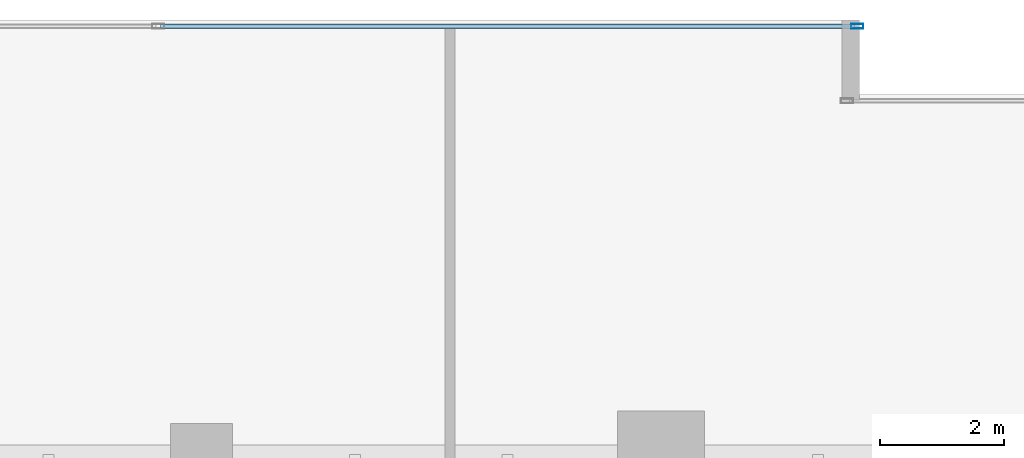
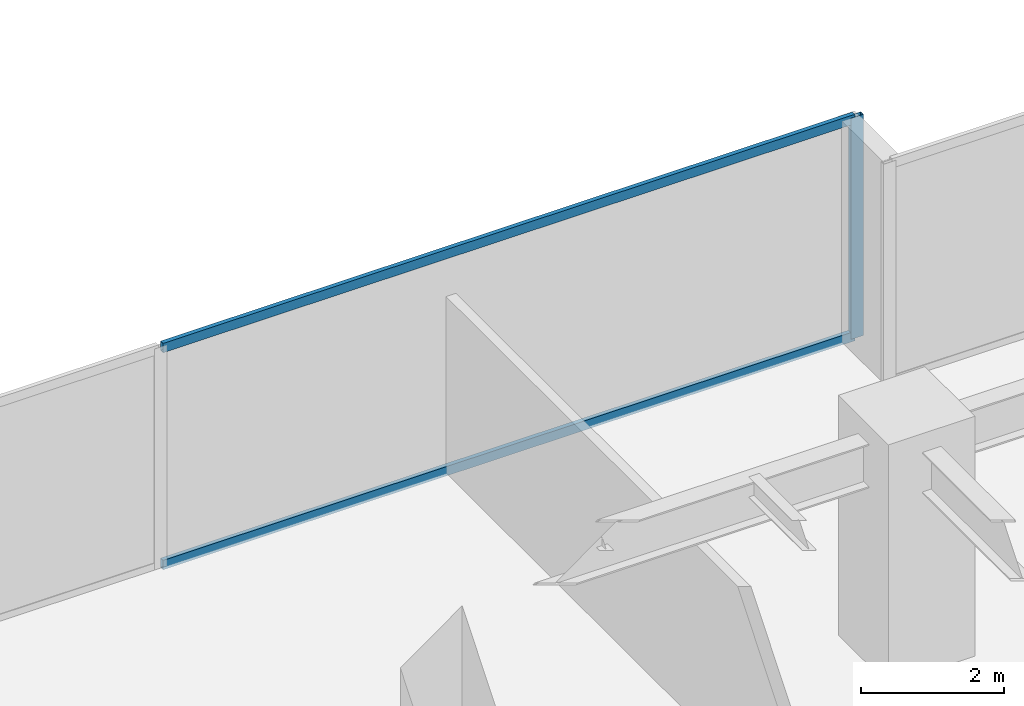
# One storey, part 16 of 35: 3 members, 1 element without a shape of its own.
"""IFC4 building model written with IfcOpenShell, lengths in metres."""

from ifc_helpers import new_model, si_unit, direction, frame, origin, origin_2d, place, context, subcontext, project, spatial, hollow_rectangle, extrude, source, transform, mapped, material, layer, layer_set, material_profile, profile_set, type_object, type_shapes, element, aggregate, save


model = new_model("IFC4")

# Units and contexts
model_context = context("Model", 3, precision=1e-05, world=origin(), true_north=direction((0.0, 1.0)))
body_context = subcontext(model_context, "Body", "Model", "MODEL_VIEW")
ifc_project = project(units=[si_unit("LENGTHUNIT", "METRE"), si_unit("AREAUNIT", "SQUARE_METRE"), si_unit("VOLUMEUNIT", "CUBIC_METRE"), si_unit("PLANEANGLEUNIT", "RADIAN"), si_unit("MASSUNIT", "GRAM", prefix="KILO")], contexts=[model_context])

# Site, building, storey
site_placement = place(None, origin())
site = spatial("IfcSite", under=ifc_project, at=site_placement, CompositionType="ELEMENT")
building_placement = place(site_placement, origin())
building = spatial("IfcBuilding", under=site, at=building_placement, Name="Haelvirn Gate Laboratories", CompositionType="ELEMENT")
storey_placement = place(building_placement, frame((0.0, 0.0, 58.0)))
storey = spatial("IfcBuildingStorey", under=building, at=storey_placement, Name="L14", CompositionType="ELEMENT", Elevation=58.0)

# Curtain wall, members
ifc_material_1 = material(Name="Anodised bronze unitised aluminium & triple low-E glass", Category="aluminium")
ifc_layer = layer(ifc_material_1, 0.18408203125, Name="CW-SYS-2")
ifc_layer_set = layer_set([ifc_layer], Name="Anodised bronze unitised aluminium & triple low-E glass")
curtain_wall_type = type_object("IfcCurtainWallType", Name="CW-SYS-2", PredefinedType="NOTDEFINED", material=ifc_layer_set)
curtain_wall_placement = place(storey_placement, origin())
curtain_wall = element("IfcCurtainWall", 1, at=curtain_wall_placement, inside=storey, type_object=curtain_wall_type, Name="L14 Unitised Curtain Wall CW-L14-P0-E14-1", PredefinedType="NOTDEFINED")
ifc_material_2 = material(Name="Extruded aluminium 6063-T6 (anodised bronze)", Category="aluminium")
ifc_material_profile_1 = material_profile(ifc_material_2, hollow_rectangle(XDim=0.074951171875, YDim=0.199951171875, WallThickness=0.0048828125, at=origin_2d()), Name="CWM-200x75x5")
ifc_profile_set_1 = profile_set([ifc_material_profile_1], Name="Extruded aluminium 6063-T6 (anodised bronze)")
member_type_1 = type_object("IfcMemberType", Name="CWM-T200", PredefinedType="MULLION", material=ifc_profile_set_1)
shared_shape_1 = source(origin(), body_context, "Body", "SweptSolid", [
    extrude(hollow_rectangle(XDim=0.074951171875, YDim=0.199951171875, WallThickness=0.0048828125, at=origin_2d()), origin(), (0.0, 0.0, 1.0), 3.780029296875),
])
type_shapes(member_type_1, [shared_shape_1])
member_1_placement = place(storey_placement, frame((25.362548828125, 48.5, 0.0), z_axis=(0.0, 0.0, 1.0), x_axis=(0.0, 1.0, 0.0)))
member_1 = element("IfcMember", 2, at=member_1_placement, type_object=member_type_1, Name="CW2 mullion 3", PredefinedType="MULLION", context=body_context, shape_type="MappedRepresentation", body=[
    mapped(shared_shape_1, transform((0.0, 0.0, 0.0), scale=1.0)),
])
ifc_material_profile_2 = material_profile(ifc_material_2, hollow_rectangle(XDim=0.070068359375, YDim=0.159912109375, WallThickness=0.0048828125, at=origin_2d()), Name="CWT-160x70x5")
ifc_profile_set_2 = profile_set([ifc_material_profile_2], Name="Extruded aluminium 6063-T6 (anodised bronze)")
member_type_2 = type_object("IfcMemberType", Name="CWT-T160", PredefinedType="USERDEFINED", material=ifc_profile_set_2)
shared_shape_2 = source(origin(), body_context, "Body", "SweptSolid", [
    extrude(hollow_rectangle(XDim=0.070068359375, YDim=0.159912109375, WallThickness=0.0048828125, at=origin_2d()), origin(), (0.0, 0.0, 1.0), 11.1875),
])
type_shapes(member_type_2, [shared_shape_2])
member_2_placement = place(storey_placement, frame((14.137451171875, 48.5, 0.034912109375), z_axis=(1.0, 0.0, 0.0), x_axis=(0.0, 1.0, 0.0)))
member_2 = element("IfcMember", 3, at=member_2_placement, type_object=member_type_2, Name="CW2 transom 2.1", ObjectType="TRANSOM", PredefinedType="USERDEFINED", context=body_context, shape_type="MappedRepresentation", body=[
    mapped(shared_shape_2, transform((0.0, 0.0, 0.0), scale=1.0)),
])
member_3_placement = place(storey_placement, frame((14.137451171875, 48.5, 3.7451171875), z_axis=(1.0, 0.0, 0.0), x_axis=(0.0, 1.0, 0.0)))
member_3 = element("IfcMember", 4, at=member_3_placement, type_object=member_type_2, Name="CW2 transom 2.2", ObjectType="TRANSOM", PredefinedType="USERDEFINED", context=body_context, shape_type="MappedRepresentation", body=[
    mapped(shared_shape_2, transform((0.0, 0.0, 0.0), scale=1.0)),
])
aggregate(curtain_wall, [member_1, member_2, member_3])

save(model, "model.ifc")
